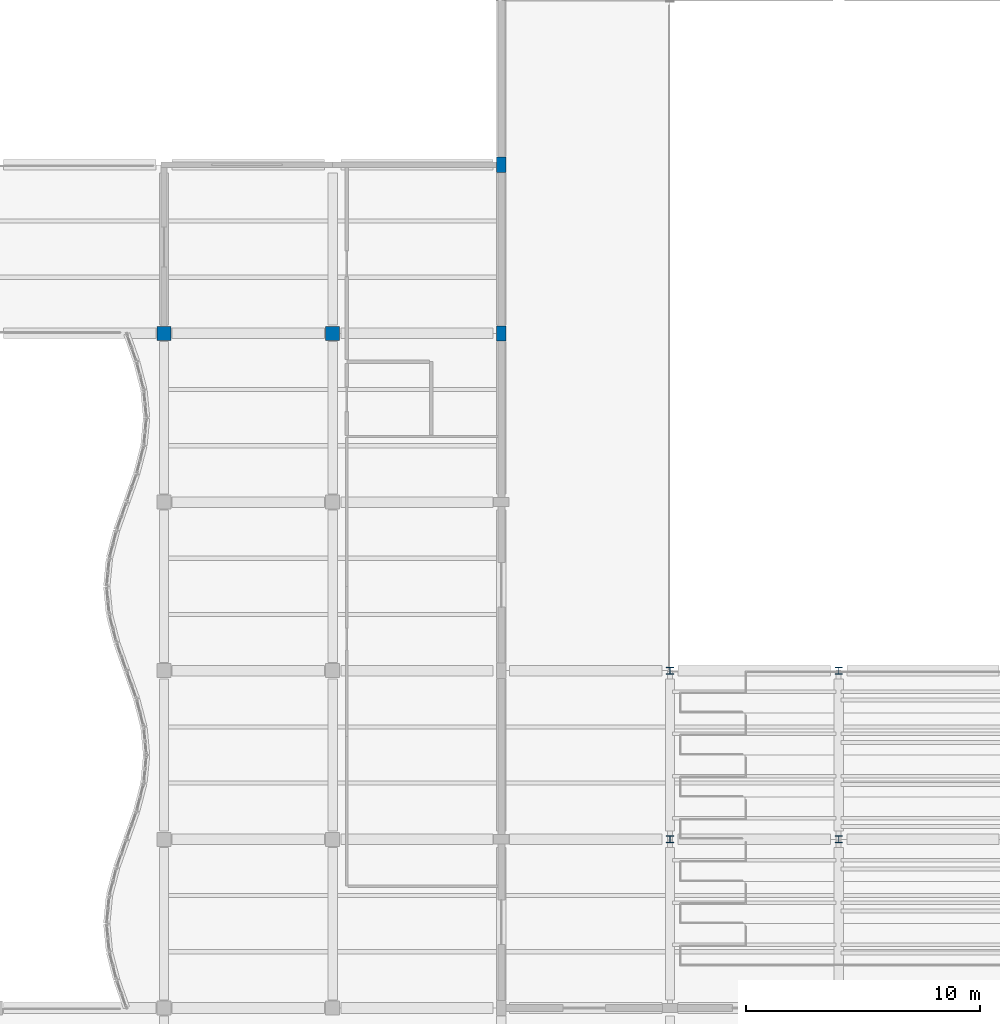
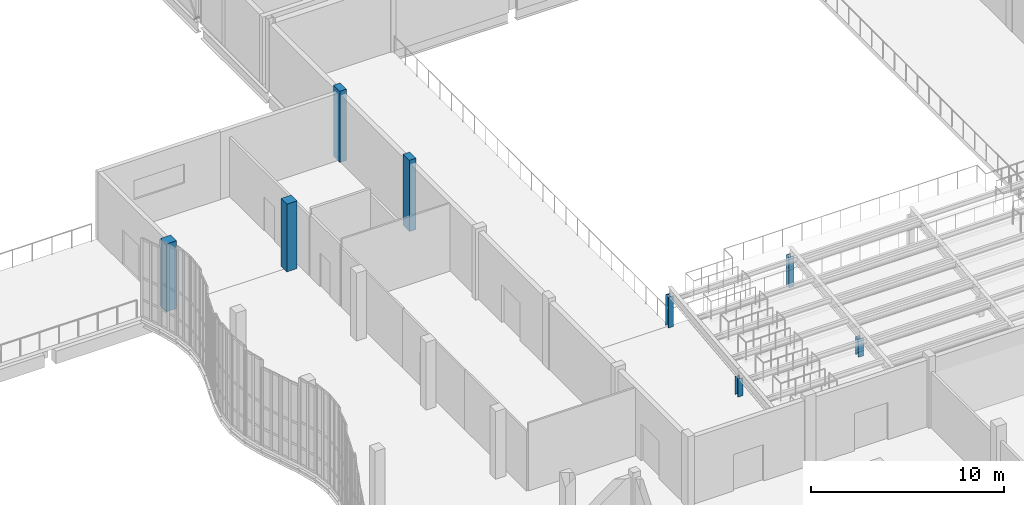
# One storey, part 2 of 105: 8 columns.
"""IFC4 building model written with IfcOpenShell, lengths in metres."""

import ifcopenshell
import ifcopenshell.guid

model = None  # the IFC model being written
_history = None  # IfcOwnerHistory: only IFC2X3 demands one
_inside = {}  # id of a spatial element -> (the spatial element, [elements in it])
_under = {}  # id of a project, library or spatial element -> (it, [spatial elements below it])
_declared = {}  # id of a project -> (the project, [libraries it declares])
_typed = {}  # id of a type object -> (the type object, [elements of that type])
_made_of = {}  # id of a material, layer set ... -> (it, [elements and type objects made of it])


def new_model(schema):
    """Start an empty IFC model of exactly this schema.

    Asked for "IFC4X3", IfcOpenShell would pick the latest addendum, in which some entities
    have other attributes; the version numbers below select the first issue.
    IFC2X3 requires an IfcOwnerHistory on every rooted entity: one is made here for all.
    """
    global model, _history
    if schema == "IFC4X3":
        model = ifcopenshell.file(schema_version=(4, 3, 0, 0))
    else:
        model = ifcopenshell.file(schema=schema)
    _inside.clear()
    _under.clear()
    _declared.clear()
    _typed.clear()
    _made_of.clear()
    _history = None
    if model.schema == "IFC2X3":
        org = make("IfcOrganization", Name="unknown")
        user = make(
            "IfcPersonAndOrganization",
            ThePerson=make("IfcPerson", FamilyName="unknown"),
            TheOrganization=org,
        )
        app = make(
            "IfcApplication",
            ApplicationDeveloper=org,
            Version="unknown",
            ApplicationFullName="unknown",
            ApplicationIdentifier="unknown",
        )
        _history = make(
            "IfcOwnerHistory",
            OwningUser=user,
            OwningApplication=app,
            ChangeAction="ADDED",
            CreationDate=0,
        )
    return model


def make(cls, **values):
    """One entity of the class cls with the attributes given. An attribute that is None is left unset."""
    return model.create_entity(
        cls, **{name: value for name, value in values.items() if value is not None}
    )


def rooted(cls, **values):
    """An entity with a GlobalId (a new one), such as an element, a storey or a relation."""
    return make(cls, GlobalId=ifcopenshell.guid.new(), OwnerHistory=_history, **values)


def si_unit(unit_type, name, prefix=None):
    """IfcSIUnit, for example si_unit("LENGTHUNIT", "METRE", prefix="MILLI")."""
    return make("IfcSIUnit", UnitType=unit_type, Prefix=prefix, Name=name)


def assignment(units):
    """IfcUnitAssignment: the units of a project."""
    return None if units is None else make("IfcUnitAssignment", Units=units)


def point(xyz):
    """IfcCartesianPoint."""
    return None if xyz is None else make("IfcCartesianPoint", Coordinates=xyz)


def direction(xyz):
    """IfcDirection."""
    return None if xyz is None else make("IfcDirection", DirectionRatios=xyz)


def frame(location, z_axis=None, x_axis=None):
    """IfcAxis2Placement3D, a coordinate frame: its origin and axes. An axis left out is left unset."""
    return make(
        "IfcAxis2Placement3D",
        Location=point(location),
        Axis=direction(z_axis),
        RefDirection=direction(x_axis),
    )


def frame_2d(location, x_axis=None):
    """IfcAxis2Placement2D, a coordinate frame in the plane: its origin and x axis."""
    return make(
        "IfcAxis2Placement2D", Location=point(location), RefDirection=direction(x_axis)
    )


def origin():
    """The frame at (0, 0, 0) with its axes left unset."""
    return frame((0.0, 0.0, 0.0))


def origin_2d():
    """The frame at (0, 0) in the plane with its x axis left unset."""
    return frame_2d((0.0, 0.0))


def place(relative_to, where):
    """IfcLocalPlacement: puts the frame where relative to a parent placement (None: the world)."""
    return make(
        "IfcLocalPlacement", PlacementRelTo=relative_to, RelativePlacement=where
    )


def context(
    kind, dimensions, precision=None, world=None, true_north=None, identifier=None
):
    """IfcGeometricRepresentationContext, for example the 3D "Model" context."""
    return make(
        "IfcGeometricRepresentationContext",
        ContextIdentifier=identifier,
        ContextType=kind,
        CoordinateSpaceDimension=dimensions,
        Precision=precision,
        WorldCoordinateSystem=world,
        TrueNorth=true_north,
    )


def subcontext(parent, identifier, kind, view, scale=None):
    """IfcGeometricRepresentationSubContext, for example "Body" below "Model"."""
    return make(
        "IfcGeometricRepresentationSubContext",
        ContextIdentifier=identifier,
        ContextType=kind,
        ParentContext=parent,
        TargetScale=scale,
        TargetView=view,
    )


def project(units=None, contexts=None):
    """IfcProject with its units and contexts."""
    return rooted(
        "IfcProject",
        Name="project",
        RepresentationContexts=contexts,
        UnitsInContext=assignment(units),
    )


def spatial(cls, under=None, at=None, **own):
    """A site, building, storey or space (cls), placed at a placement, below another one or the project."""
    s = rooted(cls, ObjectPlacement=at, **own)
    if under is not None:
        _under.setdefault(under.id(), (under, []))[1].append(s)
    return s


def profile(cls, at=None, kind="AREA", **sizes):
    """A parametric profile (cls). Its sizes go by their IFC names, for example OverallWidth=200.0."""
    return make(cls, ProfileType=kind, Position=at, **sizes)


def rectangle(**sizes):
    """IfcRectangleProfileDef."""
    return profile("IfcRectangleProfileDef", **sizes)


def i_section(**sizes):
    """IfcIShapeProfileDef."""
    return profile("IfcIShapeProfileDef", **sizes)


def extrude(swept, where, along, depth):
    """IfcExtrudedAreaSolid: the profile swept, set in the frame where, extruded along a direction by depth."""
    return make(
        "IfcExtrudedAreaSolid",
        SweptArea=swept,
        Position=where,
        ExtrudedDirection=direction(along),
        Depth=depth,
    )


def shape(context_of_items, identifier, shape_type, items):
    """IfcShapeRepresentation: the items that make up one representation, for example the "Body"."""
    return make(
        "IfcShapeRepresentation",
        ContextOfItems=context_of_items,
        RepresentationIdentifier=identifier,
        RepresentationType=shape_type,
        Items=items,
    )


def material(Name=None, Category=None):
    """IfcMaterial."""
    return make("IfcMaterial", Name=Name, Category=Category)


def material_profile(
    of_material, cross_section, Name=None, Category=None, Priority=None
):
    """IfcMaterialProfile: a cross section and its material."""
    return make(
        "IfcMaterialProfile",
        Name=Name,
        Material=of_material,
        Profile=cross_section,
        Priority=Priority,
        Category=Category,
    )


def profile_set(profiles, Name=None, composite=None):
    """IfcMaterialProfileSet."""
    return make(
        "IfcMaterialProfileSet",
        Name=Name,
        MaterialProfiles=profiles,
        CompositeProfile=composite,
    )


def made_of(thing, what):
    """Note that an element or type object is made of a material, layer set ...; save() writes the relation."""
    if what is not None:
        _made_of.setdefault(what.id(), (what, []))[1].append(thing)
    return thing


def type_object(cls, material=None, **own):
    """A type object (cls), such as IfcWallType, which elements share."""
    return made_of(rooted(cls, **own), material)


def element(
    cls,
    number,
    at=None,
    inside=None,
    cuts=None,
    type_object=None,
    material=None,
    context=None,
    identifier="Body",
    shape_type=None,
    held_by="IfcProductDefinitionShape",
    body=None,
    shapes=None,
    **own,
):
    """One element of the class cls, such as IfcWall. Its Tag is "e" and its number.

    at: its placement. inside: the storey or other place that contains it. cuts: it is an
    opening in that element (IfcRelVoidsElement). A single representation is given by context,
    identifier, shape_type and body (its items); several are given by shapes. held_by: the class
    of the entity that holds the representations. save() writes the other relations.
    """
    e = rooted(cls, Tag="e%d" % number, ObjectPlacement=at, **own)
    if body is not None:
        shapes = [shape(context, identifier, shape_type, body)]
    if shapes is not None:
        e.Representation = make(held_by, Representations=shapes)
    if inside is not None:
        _inside.setdefault(inside.id(), (inside, []))[1].append(e)
    if cuts is not None:
        rooted(
            "IfcRelVoidsElement", RelatingBuildingElement=cuts, RelatedOpeningElement=e
        )
    if type_object is not None:
        _typed.setdefault(type_object.id(), (type_object, []))[1].append(e)
    return made_of(e, material)


def aggregate(whole, parts):
    """IfcRelAggregates: a whole, such as a stair, and the parts it consists of."""
    return rooted("IfcRelAggregates", RelatingObject=whole, RelatedObjects=parts)


def save(model, path):
    """Write the relations noted so far, then the file.

    IfcRelAggregates (storeys below a building ...), IfcRelContainedInSpatialStructure (elements
    in a storey), IfcRelDefinesByType, IfcRelAssociatesMaterial and IfcRelDeclares: one each for
    every whole, place, type object, material and project.
    """
    for whole, parts in _under.values():
        aggregate(whole, parts)
    for where, things in _inside.values():
        rooted(
            "IfcRelContainedInSpatialStructure",
            RelatedElements=things,
            RelatingStructure=where,
        )
    for kind, things in _typed.values():
        rooted("IfcRelDefinesByType", RelatedObjects=things, RelatingType=kind)
    for what, things in _made_of.values():
        rooted("IfcRelAssociatesMaterial", RelatedObjects=things, RelatingMaterial=what)
    for by, libraries in _declared.values():
        rooted("IfcRelDeclares", RelatingContext=by, RelatedDefinitions=libraries)
    model.write(path)


model = new_model("IFC4")

# Units and contexts
model_context = context("Model", 3, precision=1e-05, world=origin(), true_north=direction((0.0, 1.0)))
body_context = subcontext(model_context, "Body", "Model", "MODEL_VIEW")
ifc_project = project(units=[si_unit("LENGTHUNIT", "METRE"), si_unit("AREAUNIT", "SQUARE_METRE"), si_unit("VOLUMEUNIT", "CUBIC_METRE"), si_unit("PLANEANGLEUNIT", "RADIAN"), si_unit("MASSUNIT", "GRAM", prefix="KILO"), si_unit("THERMODYNAMICTEMPERATUREUNIT", "KELVIN"), si_unit("POWERUNIT", "WATT")], contexts=[model_context])

# Site, building, storey
site_placement = place(None, origin())
site = spatial("IfcSite", under=ifc_project, at=site_placement, CompositionType="ELEMENT")
building_placement = place(site_placement, origin())
building = spatial("IfcBuilding", under=site, at=building_placement, Name="Kaldorven Railside Theatre", CompositionType="ELEMENT")
storey_placement = place(building_placement, frame((0.0, 0.0, 9.89990234375)))
storey = spatial("IfcBuildingStorey", under=building, at=storey_placement, Name="L02", CompositionType="ELEMENT", Elevation=9.89990234375)

# Columns
ifc_material_1 = material(Name="Steel S355", Category="steel")
ifc_material_profile_1 = material_profile(ifc_material_1, i_section(OverallWidth=0.300048828125, OverallDepth=0.300048828125, WebThickness=0.010986328125, FlangeThickness=0.01904296875, at=origin_2d()), Name="HEB 300")
ifc_profile_set_1 = profile_set([ifc_material_profile_1], Name="Steel S355")
column_type_1 = type_object("IfcColumnType", Name="COL-HEB300", PredefinedType="COLUMN", material=ifc_profile_set_1)
column_1_placement = place(storey_placement, frame((94.39990234375, 48.0, 0.0), z_axis=(0.0, 0.0, 1.0), x_axis=(1.0, 0.0, 0.0)))
element("IfcColumn", 1, at=column_1_placement, inside=storey, type_object=column_type_1, Name="Raker Support Stanchion V1U-1-02", PredefinedType="COLUMN", context=body_context, shape_type="SweptSolid", body=[
    extrude(i_section(OverallWidth=0.300048828125, OverallDepth=0.300048828125, WebThickness=0.010986328125, FlangeThickness=0.01904296875, at=origin_2d()), origin(), (0.0, 0.0, 1.0), 1.14501953125),
])
column_2_placement = place(storey_placement, frame((94.39990234375, 55.199951171875, 0.0), z_axis=(0.0, 0.0, 1.0), x_axis=(1.0, 0.0, 0.0)))
element("IfcColumn", 2, at=column_2_placement, inside=storey, type_object=column_type_1, Name="Raker Support Stanchion V1U-1-03", PredefinedType="COLUMN", context=body_context, shape_type="SweptSolid", body=[
    extrude(i_section(OverallWidth=0.300048828125, OverallDepth=0.300048828125, WebThickness=0.010986328125, FlangeThickness=0.01904296875, at=origin_2d()), origin(), (0.0, 0.0, 1.0), 1.945068359375),
])
column_3_placement = place(storey_placement, frame((101.60009765625, 48.0, 0.0), z_axis=(0.0, 0.0, 1.0), x_axis=(1.0, 0.0, 0.0)))
element("IfcColumn", 3, at=column_3_placement, inside=storey, type_object=column_type_1, Name="Raker Support Stanchion V1U-2-02", PredefinedType="COLUMN", context=body_context, shape_type="SweptSolid", body=[
    extrude(i_section(OverallWidth=0.300048828125, OverallDepth=0.300048828125, WebThickness=0.010986328125, FlangeThickness=0.01904296875, at=origin_2d()), origin(), (0.0, 0.0, 1.0), 1.14501953125),
])
column_4_placement = place(storey_placement, frame((101.60009765625, 55.199951171875, 0.0), z_axis=(0.0, 0.0, 1.0), x_axis=(1.0, 0.0, 0.0)))
element("IfcColumn", 4, at=column_4_placement, inside=storey, type_object=column_type_1, Name="Raker Support Stanchion V1U-2-03", PredefinedType="COLUMN", context=body_context, shape_type="SweptSolid", body=[
    extrude(i_section(OverallWidth=0.300048828125, OverallDepth=0.300048828125, WebThickness=0.010986328125, FlangeThickness=0.01904296875, at=origin_2d()), origin(), (0.0, 0.0, 1.0), 1.945068359375),
])
ifc_material_2 = material(Name="Architectural concrete C40/50", Category="concrete")
ifc_material_profile_2 = material_profile(ifc_material_2, rectangle(XDim=0.39990234375, YDim=0.64990234375, at=origin_2d()), Name="RC 400x650")
ifc_profile_set_2 = profile_set([ifc_material_profile_2], Name="Architectural concrete C40/50")
column_type_2 = type_object("IfcColumnType", Name="COL-PIER650", PredefinedType="PILASTER", material=ifc_profile_set_2)
for number, where, z_axis, x_axis, name in (
    (5, (87.199951171875, 69.60009765625, 0.0), (0.0, 0.0, 1.0), (1.0, 0.0, 0.0), "L02 Column CG-L02-087-069"),
    (6, (87.199951171875, 76.800048828125, 0.0), (0.0, 0.0, 1.0), (1.0, 0.0, 0.0), "L02 Column CG-L02-087-076"),
):
    element("IfcColumn", number, at=place(storey_placement, frame(where, z_axis=z_axis, x_axis=x_axis)), inside=storey, type_object=column_type_2, Name=name, PredefinedType="PILASTER", context=body_context, shape_type="SweptSolid", body=[
        extrude(rectangle(XDim=0.39990234375, YDim=0.64990234375, at=origin_2d()), origin(), (0.0, 0.0, 1.0), 4.5),
    ])
ifc_material_3 = material(Name="Concrete C40/50", Category="concrete")
ifc_material_profile_3 = material_profile(ifc_material_3, rectangle(XDim=0.60009765625, YDim=0.60009765625, at=origin_2d()), Name="RC 600x600")
ifc_profile_set_3 = profile_set([ifc_material_profile_3], Name="Concrete C40/50")
column_type_3 = type_object("IfcColumnType", Name="COL-RC600", PredefinedType="COLUMN", material=ifc_profile_set_3)
for number, where, z_axis, x_axis, name in (
    (7, (72.800048828125, 69.60009765625, 0.0), (0.0, 0.0, 1.0), (1.0, 0.0, 0.0), "L02 Column CG-L02-072-069"),
    (8, (80.0, 69.60009765625, 0.0), (0.0, 0.0, 1.0), (0.0, 1.0, 0.0), "L02 Column CG-L02-080-069"),
):
    element("IfcColumn", number, at=place(storey_placement, frame(where, z_axis=z_axis, x_axis=x_axis)), inside=storey, type_object=column_type_3, Name=name, PredefinedType="COLUMN", context=body_context, shape_type="SweptSolid", body=[
        extrude(rectangle(XDim=0.60009765625, YDim=0.60009765625, at=origin_2d()), origin(), (0.0, 0.0, 1.0), 4.280029296875),
    ])

save(model, "model.ifc")
